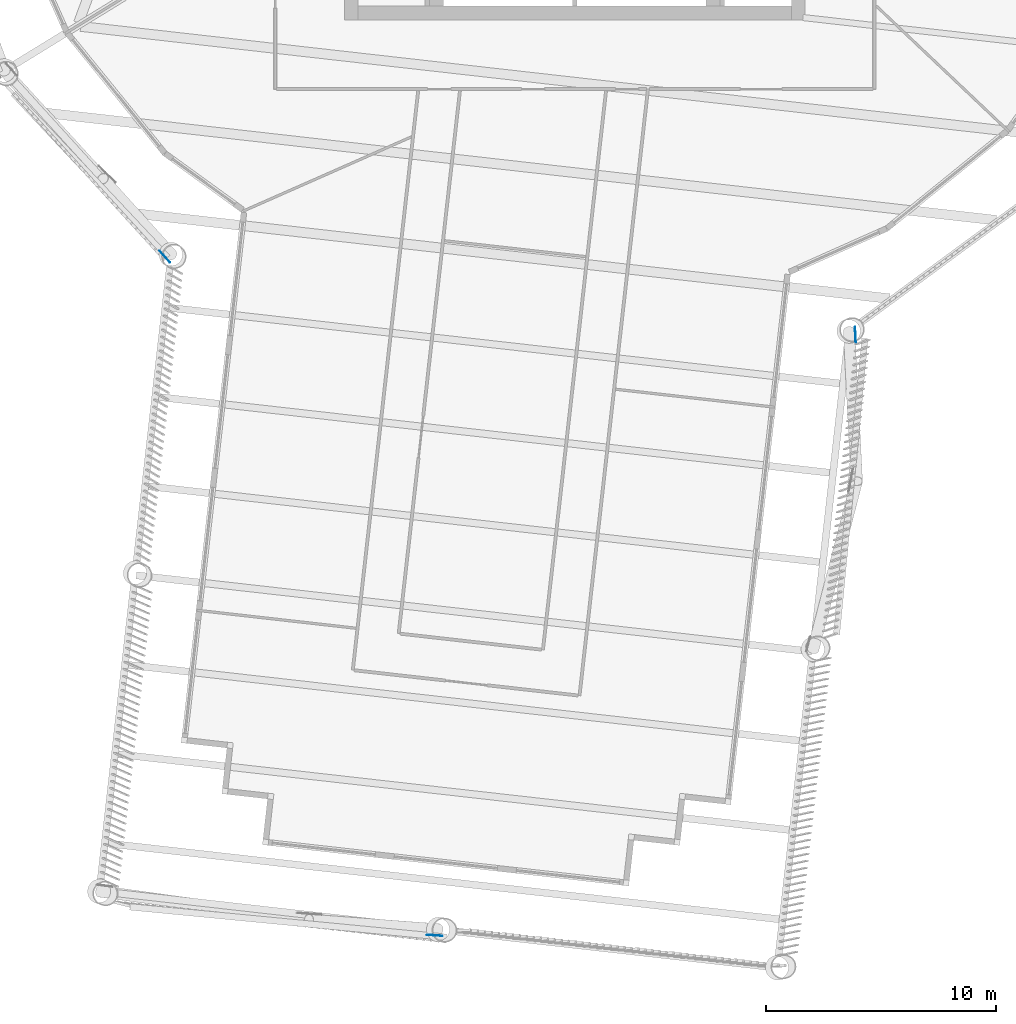
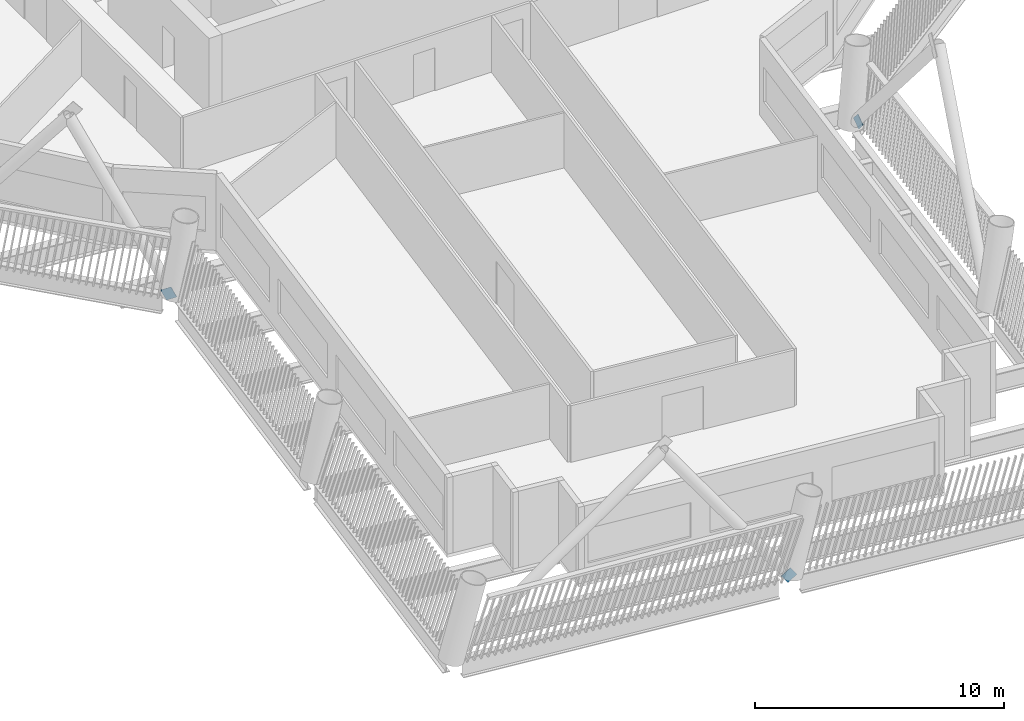
# One storey, part 12 of 22: 3 discrete accessories.
"""IFC4 building model written with IfcOpenShell, lengths in metres."""

from ifc_helpers import new_model, si_unit, direction, frame, origin, origin_2d, place, context, subcontext, project, spatial, rectangle, extrude, material, material_profile, profile_set, type_object, element, save


model = new_model("IFC4")

# Units and contexts
model_context = context("Model", 3, precision=1e-05, world=origin(), true_north=direction((0.0, 1.0)))
body_context = subcontext(model_context, "Body", "Model", "MODEL_VIEW")
ifc_project = project(units=[si_unit("LENGTHUNIT", "METRE"), si_unit("AREAUNIT", "SQUARE_METRE"), si_unit("VOLUMEUNIT", "CUBIC_METRE"), si_unit("PLANEANGLEUNIT", "RADIAN"), si_unit("MASSUNIT", "GRAM", prefix="KILO")], contexts=[model_context])

# Site, building, storey
site_placement = place(None, origin())
site = spatial("IfcSite", under=ifc_project, at=site_placement, CompositionType="ELEMENT")
building_placement = place(site_placement, origin())
building = spatial("IfcBuilding", under=site, at=building_placement, Name="Tarsis Ring Headquarters", CompositionType="ELEMENT")
storey_placement = place(building_placement, frame((0.0, 0.0, 200.39990234375)))
storey = spatial("IfcBuildingStorey", under=building, at=storey_placement, Name="L46", CompositionType="ELEMENT", Elevation=200.39990234375)

# Discrete accessories
ifc_material = material(Name="Structural steel S355", Category="steel")
ifc_material_profile = material_profile(ifc_material, rectangle(XDim=0.02490234375, YDim=0.5, at=origin_2d()), Name="PL 25x500")
ifc_profile_set = profile_set([ifc_material_profile], Name="Structural steel S355")
discrete_accessory_type = type_object("IfcDiscreteAccessoryType", Name="Gusset plate Exo brace 25", PredefinedType="BRACKET", material=ifc_profile_set)
for number, where, z_axis, x_axis, name in (
    (1, (-17.7080078125, -23.356201171875, 0.0), (-0.331001738452, 0.366640568698, 0.869489817379), (-0.742261213305, -0.670110655953, 0.0), "Gusset plate GP5"),
    (2, (-5.94189453125, -52.732666015625, 0.0), (-0.583469246155, 0.042966772939, 0.810997839217), (-0.07344130512, -0.997299541112, 0.0), "Gusset plate GP5"),
):
    element("IfcDiscreteAccessory", number, at=place(storey_placement, frame(where, z_axis=z_axis, x_axis=x_axis)), inside=storey, type_object=discrete_accessory_type, Name=name, PredefinedType="BRACKET", context=body_context, shape_type="SweptSolid", body=[
        extrude(rectangle(XDim=0.02490234375, YDim=0.5, at=origin_2d()), origin(), (0.0, 0.0, 1.0), 0.5),
    ])
discrete_accessory_placement = place(storey_placement, frame((12.169189453125, -26.484130859375, 0.0), z_axis=(0.032706286799, -0.640945590549, 0.766889202401), x_axis=(0.998700599494, 0.050961873698, 0.0)))
element("IfcDiscreteAccessory", 3, at=discrete_accessory_placement, inside=storey, type_object=discrete_accessory_type, Name="Gusset plate GP5", PredefinedType="BRACKET", context=body_context, shape_type="SweptSolid", body=[
    extrude(rectangle(XDim=0.02490234375, YDim=0.5, at=origin_2d()), origin(), (0.0, 0.0, 1.0), 0.500244140625),
])

save(model, "model.ifc")
